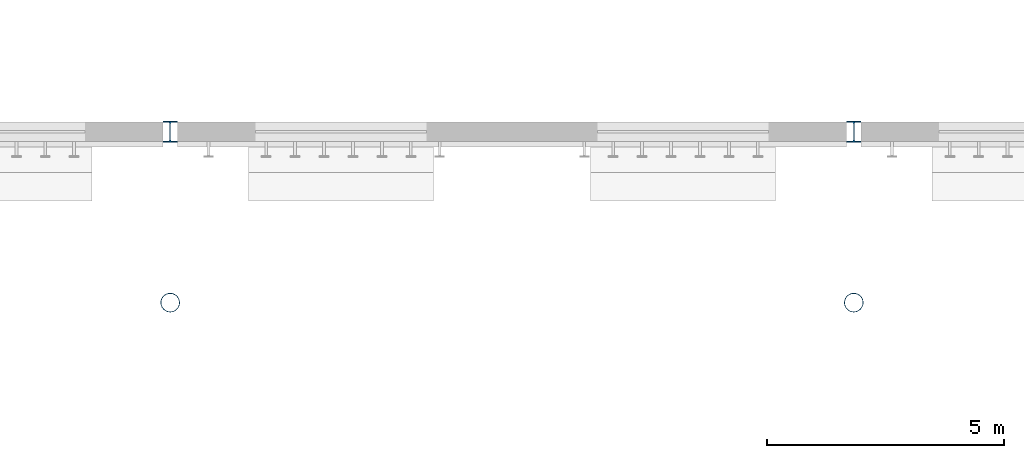
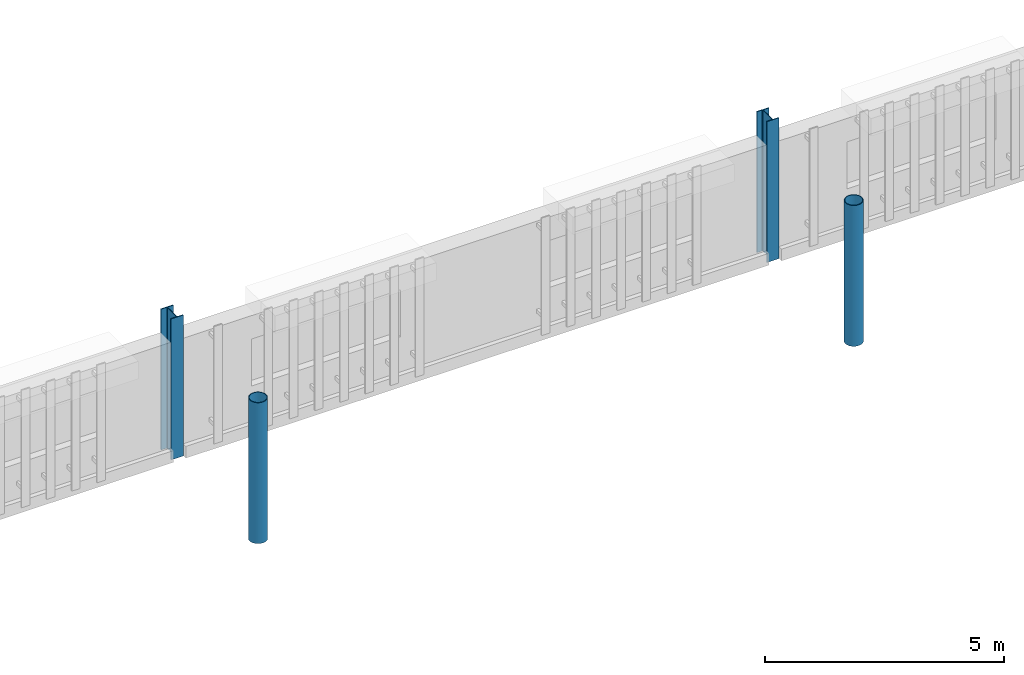
# One storey, part 6 of 124: 4 columns.
"""IFC4 building model written with IfcOpenShell, lengths in metres."""

from ifc_helpers import new_model, si_unit, direction, frame, origin, origin_2d, place, context, subcontext, project, spatial, hollow_circle, i_section, extrude, material, material_profile, profile_set, type_object, element, save


model = new_model("IFC4")

# Units and contexts
model_context = context("Model", 3, precision=1e-05, world=origin(), true_north=direction((0.0, 1.0)))
body_context = subcontext(model_context, "Body", "Model", "MODEL_VIEW")
ifc_project = project(units=[si_unit("LENGTHUNIT", "METRE"), si_unit("AREAUNIT", "SQUARE_METRE"), si_unit("VOLUMEUNIT", "CUBIC_METRE"), si_unit("PLANEANGLEUNIT", "RADIAN"), si_unit("MASSUNIT", "GRAM", prefix="KILO")], contexts=[model_context])

# Site, building, storey
site_placement = place(None, origin())
site = spatial("IfcSite", under=ifc_project, at=site_placement, CompositionType="ELEMENT")
building_placement = place(site_placement, origin())
building = spatial("IfcBuilding", under=site, at=building_placement, Name="Kupolbacken Congress Centre", CompositionType="ELEMENT")
storey_placement = place(building_placement, frame((0.0, 0.0, 10.800048828125)))
storey = spatial("IfcBuildingStorey", under=building, at=storey_placement, Name="L03", CompositionType="ELEMENT", Elevation=10.800048828125)

# Columns
ifc_material_1 = material(Name="Steel S355", Category="steel")
ifc_material_profile_1 = material_profile(ifc_material_1, i_section(OverallWidth=0.300048828125, OverallDepth=0.43994140625, WebThickness=0.011474609375, FlangeThickness=0.02099609375, FilletRadius=0.027099609375, at=origin_2d()), Name="HEA 450")
ifc_profile_set_1 = profile_set([ifc_material_profile_1], Name="Steel S355")
column_type_1 = type_object("IfcColumnType", Name="C07 column HEA 450", PredefinedType="COLUMN", material=ifc_profile_set_1)
for number, where, z_axis, x_axis, name in (
    (1, (108.0, 43.199951171875, 0.0), (0.0, 0.0, 1.0), (1.0, 0.0, 0.0), "S/col/C-H-T2S/L03"),
    (2, (122.39990234375, 43.199951171875, 0.0), (0.0, 0.0, 1.0), (1.0, 0.0, 0.0), "S/col/C-H-T3S/L03"),
):
    element("IfcColumn", number, at=place(storey_placement, frame(where, z_axis=z_axis, x_axis=x_axis)), inside=storey, type_object=column_type_1, Name=name, PredefinedType="COLUMN", context=body_context, shape_type="SweptSolid", body=[
        extrude(i_section(OverallWidth=0.300048828125, OverallDepth=0.43994140625, WebThickness=0.011474609375, FlangeThickness=0.02099609375, FilletRadius=0.027099609375, at=origin_2d()), origin(), (0.0, 0.0, 1.0), 3.599853515625),
    ])
ifc_material_2 = material(Name="Steel S355", Category="steel")
ifc_material_profile_2 = material_profile(ifc_material_2, hollow_circle(Radius=0.203125, WallThickness=0.01611328125, at=origin_2d()), Name="CHS 406.4 x 16")
ifc_profile_set_2 = profile_set([ifc_material_profile_2], Name="Steel S355")
column_type_2 = type_object("IfcColumnType", Name="C15 roof mast CHS 406.4 x 16", PredefinedType="COLUMN", material=ifc_profile_set_2)
for number, where, z_axis, x_axis, name in (
    (3, (108.0, 39.60009765625, 0.0), (0.0, 0.0, 1.0), (1.0, 0.0, 0.0), "Roof mast M2S"),
    (4, (122.39990234375, 39.60009765625, 0.0), (0.0, 0.0, 1.0), (1.0, 0.0, 0.0), "Roof mast M3S"),
):
    element("IfcColumn", number, at=place(storey_placement, frame(where, z_axis=z_axis, x_axis=x_axis)), inside=storey, type_object=column_type_2, Name=name, PredefinedType="COLUMN", context=body_context, shape_type="SweptSolid", body=[
        extrude(hollow_circle(Radius=0.203125, WallThickness=0.01611328125, at=origin_2d()), origin(), (0.0, 0.0, 1.0), 3.599853515625),
    ])

save(model, "model.ifc")
